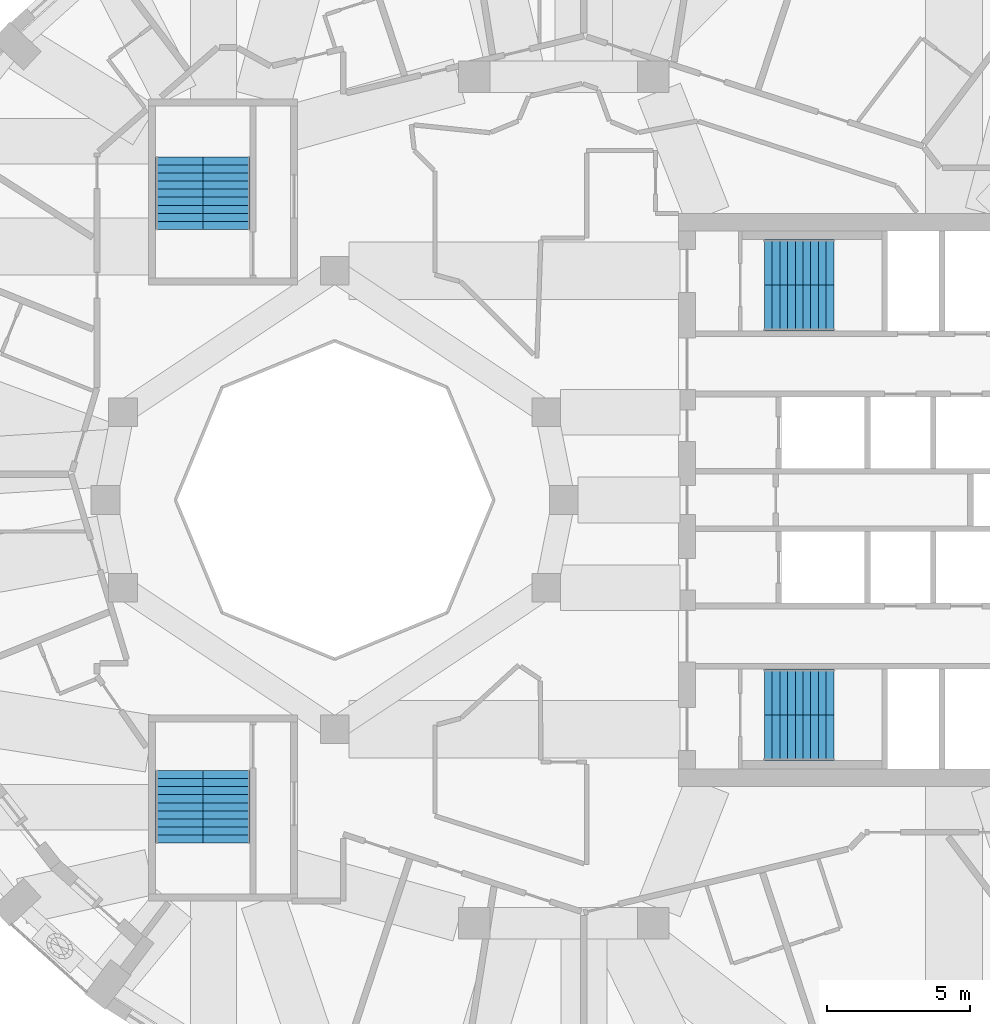
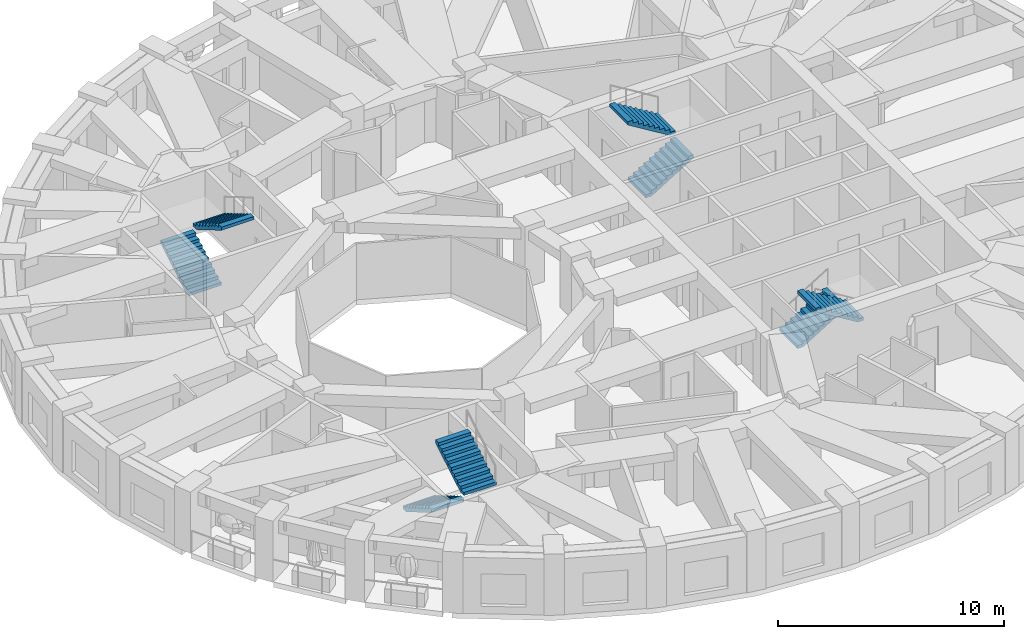
# One storey, part 9 of 12: 8 stair flights, 4 elements without a shape of their own.
"""IFC4 building model written with IfcOpenShell, lengths in metres."""

from ifc_helpers import new_model, si_unit, direction, frame, origin, place, context, subcontext, project, spatial, polyline, outline, extrude, material, type_object, element, aggregate, save


model = new_model("IFC4")

# Units and contexts
model_context = context("Model", 3, precision=1e-05, world=origin(), true_north=direction((0.0, 1.0)))
body_context = subcontext(model_context, "Body", "Model", "MODEL_VIEW")
ifc_project = project(units=[si_unit("LENGTHUNIT", "METRE"), si_unit("AREAUNIT", "SQUARE_METRE"), si_unit("VOLUMEUNIT", "CUBIC_METRE"), si_unit("PLANEANGLEUNIT", "RADIAN"), si_unit("MASSUNIT", "GRAM", prefix="KILO")], contexts=[model_context])

# Site, building, storey
site_placement = place(None, origin())
site = spatial("IfcSite", under=ifc_project, at=site_placement, CompositionType="ELEMENT")
building_placement = place(site_placement, origin())
building = spatial("IfcBuilding", under=site, at=building_placement, Name="Taillehof Tower", CompositionType="ELEMENT")
storey_placement = place(building_placement, frame((0.0, 0.0, 222.199951171875)))
storey = spatial("IfcBuildingStorey", under=building, at=storey_placement, Name="L63", CompositionType="ELEMENT", Elevation=222.199951171875)

# Stair, stair flights
ifc_material_1 = material(Name="Concrete C40/50", Category="concrete")
stair_type = type_object("IfcStairType", Name="Exit stair half-turn", PredefinedType="HALF_TURN_STAIR", material=ifc_material_1)
stair_1_placement = place(storey_placement, origin())
stair_1 = element("IfcStair", 1, at=stair_1_placement, inside=storey, type_object=stair_type, Name="Exit stair S1", PredefinedType="HALF_TURN_STAIR")
ifc_material_2 = material(Name="Concrete C40/50", Category="concrete")
stair_flight_type_1 = type_object("IfcStairFlightType", Name="Stair flight 1600 riser 165.0 going 270", PredefinedType="STRAIGHT", material=ifc_material_2)
stair_flight_1_placement = place(storey_placement, frame((7.0, 6.699951171875, 0.0), z_axis=(0.0, 0.0, 1.0), x_axis=(1.0, 0.0, 0.0)))
stair_flight_1 = element("IfcStairFlight", 2, at=stair_flight_1_placement, type_object=stair_flight_type_1, Name="S1 flight 1", NumberOfRisers=10, NumberOfTreads=9, PredefinedType="STRAIGHT", RiserHeight=0.165, TreadLength=0.27, context=body_context, shape_type="SweptSolid", body=[
    extrude(outline(polyline([(0.0, 0.0), (0.0, 0.00537109375), (0.0, 0.0107421875), (0.0, 0.015869140625), (0.0, 0.021240234375), (0.0, 0.026611328125), (0.0, 0.031982421875), (0.0, 0.037353515625), (0.0, 0.04248046875), (0.0, 0.0478515625), (0.0, 0.05322265625), (0.0, 0.05859375), (0.0, 0.06396484375), (0.0, 0.069091796875), (0.0, 0.074462890625), (0.0, 0.079833984375), (0.0, 0.085205078125), (0.0, 0.090576171875), (0.0, 0.095703125), (0.0, 0.10107421875), (0.0, 0.1064453125), (0.0, 0.11181640625), (0.0, 0.1171875), (0.0, 0.122314453125), (0.0, 0.127685546875), (0.0, 0.133056640625), (0.0, 0.138427734375), (0.0, 0.143798828125), (0.0, 0.14892578125), (0.0, 0.154296875), (0.0, 0.15966796875), (0.0, 0.1650390625), (0.27001953125, 0.1650390625), (0.27001953125, 0.330078125), (0.5400390625, 0.330078125), (0.5400390625, 0.4951171875), (0.81005859375, 0.4951171875), (0.81005859375, 0.659912109375), (1.080078125, 0.659912109375), (1.080078125, 0.824951171875), (1.35009765625, 0.824951171875), (1.35009765625, 0.989990234375), (1.6201171875, 0.989990234375), (1.6201171875, 1.155029296875), (1.889892578125, 1.155029296875), (1.889892578125, 1.320068359375), (2.159912109375, 1.320068359375), (2.159912109375, 1.485107421875), (2.429931640625, 1.485107421875), (2.429931640625, 1.479248046875), (2.429931640625, 1.4736328125), (2.429931640625, 1.468017578125), (2.429931640625, 1.46240234375), (2.429931640625, 1.45654296875), (2.429931640625, 1.450927734375), (2.429931640625, 1.4453125), (2.429931640625, 1.439697265625), (2.429931640625, 1.43408203125), (2.429931640625, 1.42822265625), (2.429931640625, 1.422607421875), (2.429931640625, 1.4169921875), (2.429931640625, 1.411376953125), (2.429931640625, 1.40576171875), (2.429931640625, 1.39990234375), (2.429931640625, 1.394287109375), (2.429931640625, 1.388671875), (2.429931640625, 1.383056640625), (2.429931640625, 1.37744140625), (2.429931640625, 1.37158203125), (2.429931640625, 1.365966796875), (2.429931640625, 1.3603515625), (2.429931640625, 1.354736328125), (2.429931640625, 1.348876953125), (2.429931640625, 1.34326171875), (2.429931640625, 1.337646484375), (2.429931640625, 1.33203125), (2.429931640625, 1.326416015625), (2.429931640625, 1.320556640625), (2.429931640625, 1.31494140625), (2.429931640625, 1.309326171875), (0.287353515625, 0.0), (0.0, 0.0)])), frame((0.0, 0.800048828125, 0.0), z_axis=(0.0, -1.0, 0.0), x_axis=(1.0, 0.0, 0.0)), (0.0, 0.0, 1.0), 1.6),
])
stair_flight_2_placement = place(storey_placement, frame((9.429931640625, 8.300048828125, 1.650146484375), z_axis=(0.0, 0.0, 1.0), x_axis=(-1.0, 0.0, 0.0)))
stair_flight_2 = element("IfcStairFlight", 3, at=stair_flight_2_placement, type_object=stair_flight_type_1, Name="S1 flight 2", NumberOfRisers=10, NumberOfTreads=9, PredefinedType="STRAIGHT", RiserHeight=0.165, TreadLength=0.27, context=body_context, shape_type="SweptSolid", body=[
    extrude(outline(polyline([(0.0, 0.0), (0.0, 0.00537109375), (0.0, 0.0107421875), (0.0, 0.015869140625), (0.0, 0.021240234375), (0.0, 0.026611328125), (0.0, 0.031982421875), (0.0, 0.037353515625), (0.0, 0.04248046875), (0.0, 0.0478515625), (0.0, 0.05322265625), (0.0, 0.05859375), (0.0, 0.06396484375), (0.0, 0.069091796875), (0.0, 0.074462890625), (0.0, 0.079833984375), (0.0, 0.085205078125), (0.0, 0.090576171875), (0.0, 0.095703125), (0.0, 0.10107421875), (0.0, 0.1064453125), (0.0, 0.11181640625), (0.0, 0.1171875), (0.0, 0.122314453125), (0.0, 0.127685546875), (0.0, 0.133056640625), (0.0, 0.138427734375), (0.0, 0.143798828125), (0.0, 0.14892578125), (0.0, 0.154296875), (0.0, 0.15966796875), (0.0, 0.1650390625), (0.27001953125, 0.1650390625), (0.27001953125, 0.330078125), (0.5400390625, 0.330078125), (0.5400390625, 0.4951171875), (0.81005859375, 0.4951171875), (0.81005859375, 0.659912109375), (1.080078125, 0.659912109375), (1.080078125, 0.824951171875), (1.35009765625, 0.824951171875), (1.35009765625, 0.989990234375), (1.6201171875, 0.989990234375), (1.6201171875, 1.155029296875), (1.889892578125, 1.155029296875), (1.889892578125, 1.320068359375), (2.159912109375, 1.320068359375), (2.159912109375, 1.485107421875), (2.429931640625, 1.485107421875), (2.429931640625, 1.479248046875), (2.429931640625, 1.4736328125), (2.429931640625, 1.468017578125), (2.429931640625, 1.46240234375), (2.429931640625, 1.45654296875), (2.429931640625, 1.450927734375), (2.429931640625, 1.4453125), (2.429931640625, 1.439697265625), (2.429931640625, 1.43408203125), (2.429931640625, 1.42822265625), (2.429931640625, 1.422607421875), (2.429931640625, 1.4169921875), (2.429931640625, 1.411376953125), (2.429931640625, 1.40576171875), (2.429931640625, 1.39990234375), (2.429931640625, 1.394287109375), (2.429931640625, 1.388671875), (2.429931640625, 1.383056640625), (2.429931640625, 1.37744140625), (2.429931640625, 1.37158203125), (2.429931640625, 1.365966796875), (2.429931640625, 1.3603515625), (2.429931640625, 1.354736328125), (2.429931640625, 1.348876953125), (2.429931640625, 1.34326171875), (2.429931640625, 1.337646484375), (2.429931640625, 1.33203125), (2.429931640625, 1.326416015625), (2.429931640625, 1.320556640625), (2.429931640625, 1.31494140625), (2.429931640625, 1.309326171875), (0.287353515625, 0.0), (0.0, 0.0)])), frame((0.0, 0.800048828125, 0.0), z_axis=(0.0, -1.0, 0.0), x_axis=(1.0, 0.0, 0.0)), (0.0, 0.0, 1.0), 1.6),
])
aggregate(stair_1, [stair_flight_1, stair_flight_2])

stair_2_placement = place(storey_placement, origin())
stair_2 = element("IfcStair", 4, at=stair_2_placement, inside=storey, type_object=stair_type, Name="Exit stair S2", PredefinedType="HALF_TURN_STAIR")
stair_flight_3_placement = place(storey_placement, frame((7.0, -6.699951171875, 0.0), z_axis=(0.0, 0.0, 1.0), x_axis=(1.0, 0.0, 0.0)))
stair_flight_3 = element("IfcStairFlight", 5, at=stair_flight_3_placement, type_object=stair_flight_type_1, Name="S2 flight 1", NumberOfRisers=10, NumberOfTreads=9, PredefinedType="STRAIGHT", RiserHeight=0.165, TreadLength=0.27, context=body_context, shape_type="SweptSolid", body=[
    extrude(outline(polyline([(0.0, 0.0), (0.0, 0.00537109375), (0.0, 0.0107421875), (0.0, 0.015869140625), (0.0, 0.021240234375), (0.0, 0.026611328125), (0.0, 0.031982421875), (0.0, 0.037353515625), (0.0, 0.04248046875), (0.0, 0.0478515625), (0.0, 0.05322265625), (0.0, 0.05859375), (0.0, 0.06396484375), (0.0, 0.069091796875), (0.0, 0.074462890625), (0.0, 0.079833984375), (0.0, 0.085205078125), (0.0, 0.090576171875), (0.0, 0.095703125), (0.0, 0.10107421875), (0.0, 0.1064453125), (0.0, 0.11181640625), (0.0, 0.1171875), (0.0, 0.122314453125), (0.0, 0.127685546875), (0.0, 0.133056640625), (0.0, 0.138427734375), (0.0, 0.143798828125), (0.0, 0.14892578125), (0.0, 0.154296875), (0.0, 0.15966796875), (0.0, 0.1650390625), (0.27001953125, 0.1650390625), (0.27001953125, 0.330078125), (0.5400390625, 0.330078125), (0.5400390625, 0.4951171875), (0.81005859375, 0.4951171875), (0.81005859375, 0.659912109375), (1.080078125, 0.659912109375), (1.080078125, 0.824951171875), (1.35009765625, 0.824951171875), (1.35009765625, 0.989990234375), (1.6201171875, 0.989990234375), (1.6201171875, 1.155029296875), (1.889892578125, 1.155029296875), (1.889892578125, 1.320068359375), (2.159912109375, 1.320068359375), (2.159912109375, 1.485107421875), (2.429931640625, 1.485107421875), (2.429931640625, 1.479248046875), (2.429931640625, 1.4736328125), (2.429931640625, 1.468017578125), (2.429931640625, 1.46240234375), (2.429931640625, 1.45654296875), (2.429931640625, 1.450927734375), (2.429931640625, 1.4453125), (2.429931640625, 1.439697265625), (2.429931640625, 1.43408203125), (2.429931640625, 1.42822265625), (2.429931640625, 1.422607421875), (2.429931640625, 1.4169921875), (2.429931640625, 1.411376953125), (2.429931640625, 1.40576171875), (2.429931640625, 1.39990234375), (2.429931640625, 1.394287109375), (2.429931640625, 1.388671875), (2.429931640625, 1.383056640625), (2.429931640625, 1.37744140625), (2.429931640625, 1.37158203125), (2.429931640625, 1.365966796875), (2.429931640625, 1.3603515625), (2.429931640625, 1.354736328125), (2.429931640625, 1.348876953125), (2.429931640625, 1.34326171875), (2.429931640625, 1.337646484375), (2.429931640625, 1.33203125), (2.429931640625, 1.326416015625), (2.429931640625, 1.320556640625), (2.429931640625, 1.31494140625), (2.429931640625, 1.309326171875), (0.287353515625, 0.0), (0.0, 0.0)])), frame((0.0, 0.800048828125, 0.0), z_axis=(0.0, -1.0, 0.0), x_axis=(1.0, 0.0, 0.0)), (0.0, 0.0, 1.0), 1.6),
])
stair_flight_4_placement = place(storey_placement, frame((9.429931640625, -8.300048828125, 1.650146484375), z_axis=(0.0, 0.0, 1.0), x_axis=(-1.0, 0.0, 0.0)))
stair_flight_4 = element("IfcStairFlight", 6, at=stair_flight_4_placement, type_object=stair_flight_type_1, Name="S2 flight 2", NumberOfRisers=10, NumberOfTreads=9, PredefinedType="STRAIGHT", RiserHeight=0.165, TreadLength=0.27, context=body_context, shape_type="SweptSolid", body=[
    extrude(outline(polyline([(0.0, 0.0), (0.0, 0.00537109375), (0.0, 0.0107421875), (0.0, 0.015869140625), (0.0, 0.021240234375), (0.0, 0.026611328125), (0.0, 0.031982421875), (0.0, 0.037353515625), (0.0, 0.04248046875), (0.0, 0.0478515625), (0.0, 0.05322265625), (0.0, 0.05859375), (0.0, 0.06396484375), (0.0, 0.069091796875), (0.0, 0.074462890625), (0.0, 0.079833984375), (0.0, 0.085205078125), (0.0, 0.090576171875), (0.0, 0.095703125), (0.0, 0.10107421875), (0.0, 0.1064453125), (0.0, 0.11181640625), (0.0, 0.1171875), (0.0, 0.122314453125), (0.0, 0.127685546875), (0.0, 0.133056640625), (0.0, 0.138427734375), (0.0, 0.143798828125), (0.0, 0.14892578125), (0.0, 0.154296875), (0.0, 0.15966796875), (0.0, 0.1650390625), (0.27001953125, 0.1650390625), (0.27001953125, 0.330078125), (0.5400390625, 0.330078125), (0.5400390625, 0.4951171875), (0.81005859375, 0.4951171875), (0.81005859375, 0.659912109375), (1.080078125, 0.659912109375), (1.080078125, 0.824951171875), (1.35009765625, 0.824951171875), (1.35009765625, 0.989990234375), (1.6201171875, 0.989990234375), (1.6201171875, 1.155029296875), (1.889892578125, 1.155029296875), (1.889892578125, 1.320068359375), (2.159912109375, 1.320068359375), (2.159912109375, 1.485107421875), (2.429931640625, 1.485107421875), (2.429931640625, 1.479248046875), (2.429931640625, 1.4736328125), (2.429931640625, 1.468017578125), (2.429931640625, 1.46240234375), (2.429931640625, 1.45654296875), (2.429931640625, 1.450927734375), (2.429931640625, 1.4453125), (2.429931640625, 1.439697265625), (2.429931640625, 1.43408203125), (2.429931640625, 1.42822265625), (2.429931640625, 1.422607421875), (2.429931640625, 1.4169921875), (2.429931640625, 1.411376953125), (2.429931640625, 1.40576171875), (2.429931640625, 1.39990234375), (2.429931640625, 1.394287109375), (2.429931640625, 1.388671875), (2.429931640625, 1.383056640625), (2.429931640625, 1.37744140625), (2.429931640625, 1.37158203125), (2.429931640625, 1.365966796875), (2.429931640625, 1.3603515625), (2.429931640625, 1.354736328125), (2.429931640625, 1.348876953125), (2.429931640625, 1.34326171875), (2.429931640625, 1.337646484375), (2.429931640625, 1.33203125), (2.429931640625, 1.326416015625), (2.429931640625, 1.320556640625), (2.429931640625, 1.31494140625), (2.429931640625, 1.309326171875), (0.287353515625, 0.0), (0.0, 0.0)])), frame((0.0, 0.800048828125, 0.0), z_axis=(0.0, -1.0, 0.0), x_axis=(1.0, 0.0, 0.0)), (0.0, 0.0, 1.0), 1.6),
])
aggregate(stair_2, [stair_flight_3, stair_flight_4])

stair_3_placement = place(storey_placement, origin())
stair_3 = element("IfcStair", 7, at=stair_3_placement, inside=storey, type_object=stair_type, Name="Exit stair S3", PredefinedType="HALF_TURN_STAIR")
ifc_material_3 = material(Name="Concrete C40/50", Category="concrete")
stair_flight_type_2 = type_object("IfcStairFlightType", Name="Stair flight 1650 riser 165.0 going 280", PredefinedType="STRAIGHT", material=ifc_material_3)
stair_flight_5_placement = place(storey_placement, frame((-13.425048828125, 9.449951171875, 0.0), z_axis=(0.0, 0.0, 1.0), x_axis=(0.0, 1.0, 0.0)))
stair_flight_5 = element("IfcStairFlight", 8, at=stair_flight_5_placement, type_object=stair_flight_type_2, Name="S3 flight 1", NumberOfRisers=10, NumberOfTreads=9, PredefinedType="STRAIGHT", RiserHeight=0.165, TreadLength=0.28, context=body_context, shape_type="SweptSolid", body=[
    extrude(outline(polyline([(0.0, 0.0), (0.0, 0.00537109375), (0.0, 0.0107421875), (0.0, 0.015869140625), (0.0, 0.021240234375), (0.0, 0.026611328125), (0.0, 0.031982421875), (0.0, 0.037353515625), (0.0, 0.04248046875), (0.0, 0.0478515625), (0.0, 0.05322265625), (0.0, 0.05859375), (0.0, 0.06396484375), (0.0, 0.069091796875), (0.0, 0.074462890625), (0.0, 0.079833984375), (0.0, 0.085205078125), (0.0, 0.090576171875), (0.0, 0.095703125), (0.0, 0.10107421875), (0.0, 0.1064453125), (0.0, 0.11181640625), (0.0, 0.1171875), (0.0, 0.122314453125), (0.0, 0.127685546875), (0.0, 0.133056640625), (0.0, 0.138427734375), (0.0, 0.143798828125), (0.0, 0.14892578125), (0.0, 0.154296875), (0.0, 0.15966796875), (0.0, 0.1650390625), (0.280029296875, 0.1650390625), (0.280029296875, 0.330078125), (0.56005859375, 0.330078125), (0.56005859375, 0.4951171875), (0.840087890625, 0.4951171875), (0.840087890625, 0.659912109375), (1.1201171875, 0.659912109375), (1.1201171875, 0.824951171875), (1.39990234375, 0.824951171875), (1.39990234375, 0.989990234375), (1.679931640625, 0.989990234375), (1.679931640625, 1.155029296875), (1.9599609375, 1.155029296875), (1.9599609375, 1.320068359375), (2.239990234375, 1.320068359375), (2.239990234375, 1.485107421875), (2.52001953125, 1.485107421875), (2.52001953125, 1.4794921875), (2.52001953125, 1.473876953125), (2.52001953125, 1.46826171875), (2.52001953125, 1.462646484375), (2.52001953125, 1.45703125), (2.52001953125, 1.451416015625), (2.52001953125, 1.44580078125), (2.52001953125, 1.440185546875), (2.52001953125, 1.4345703125), (2.52001953125, 1.428955078125), (2.52001953125, 1.42333984375), (2.52001953125, 1.417724609375), (2.52001953125, 1.412109375), (2.52001953125, 1.406494140625), (2.52001953125, 1.40087890625), (2.52001953125, 1.395263671875), (2.52001953125, 1.3896484375), (2.52001953125, 1.384033203125), (2.52001953125, 1.37841796875), (2.52001953125, 1.372802734375), (2.52001953125, 1.3671875), (2.52001953125, 1.361572265625), (2.52001953125, 1.35595703125), (2.52001953125, 1.350341796875), (2.52001953125, 1.3447265625), (2.52001953125, 1.339111328125), (2.52001953125, 1.33349609375), (2.52001953125, 1.327880859375), (2.52001953125, 1.322265625), (2.52001953125, 1.316650390625), (2.52001953125, 1.31103515625), (0.295166015625, 0.0), (0.0, 0.0)])), frame((0.0, 0.824951171875, 0.0), z_axis=(0.0, -1.0, 0.0), x_axis=(1.0, 0.0, 0.0)), (0.0, 0.0, 1.0), 1.65),
])
stair_flight_6_placement = place(storey_placement, frame((-11.77490234375, 11.969970703125, 1.650146484375), z_axis=(0.0, 0.0, 1.0), x_axis=(0.0, -1.0, 0.0)))
stair_flight_6 = element("IfcStairFlight", 9, at=stair_flight_6_placement, type_object=stair_flight_type_2, Name="S3 flight 2", NumberOfRisers=10, NumberOfTreads=9, PredefinedType="STRAIGHT", RiserHeight=0.165, TreadLength=0.28, context=body_context, shape_type="SweptSolid", body=[
    extrude(outline(polyline([(0.0, 0.0), (0.0, 0.00537109375), (0.0, 0.0107421875), (0.0, 0.015869140625), (0.0, 0.021240234375), (0.0, 0.026611328125), (0.0, 0.031982421875), (0.0, 0.037353515625), (0.0, 0.04248046875), (0.0, 0.0478515625), (0.0, 0.05322265625), (0.0, 0.05859375), (0.0, 0.06396484375), (0.0, 0.069091796875), (0.0, 0.074462890625), (0.0, 0.079833984375), (0.0, 0.085205078125), (0.0, 0.090576171875), (0.0, 0.095703125), (0.0, 0.10107421875), (0.0, 0.1064453125), (0.0, 0.11181640625), (0.0, 0.1171875), (0.0, 0.122314453125), (0.0, 0.127685546875), (0.0, 0.133056640625), (0.0, 0.138427734375), (0.0, 0.143798828125), (0.0, 0.14892578125), (0.0, 0.154296875), (0.0, 0.15966796875), (0.0, 0.1650390625), (0.280029296875, 0.1650390625), (0.280029296875, 0.330078125), (0.56005859375, 0.330078125), (0.56005859375, 0.4951171875), (0.840087890625, 0.4951171875), (0.840087890625, 0.659912109375), (1.1201171875, 0.659912109375), (1.1201171875, 0.824951171875), (1.39990234375, 0.824951171875), (1.39990234375, 0.989990234375), (1.679931640625, 0.989990234375), (1.679931640625, 1.155029296875), (1.9599609375, 1.155029296875), (1.9599609375, 1.320068359375), (2.239990234375, 1.320068359375), (2.239990234375, 1.485107421875), (2.52001953125, 1.485107421875), (2.52001953125, 1.4794921875), (2.52001953125, 1.473876953125), (2.52001953125, 1.46826171875), (2.52001953125, 1.462646484375), (2.52001953125, 1.45703125), (2.52001953125, 1.451416015625), (2.52001953125, 1.44580078125), (2.52001953125, 1.440185546875), (2.52001953125, 1.4345703125), (2.52001953125, 1.428955078125), (2.52001953125, 1.42333984375), (2.52001953125, 1.417724609375), (2.52001953125, 1.412109375), (2.52001953125, 1.406494140625), (2.52001953125, 1.40087890625), (2.52001953125, 1.395263671875), (2.52001953125, 1.3896484375), (2.52001953125, 1.384033203125), (2.52001953125, 1.37841796875), (2.52001953125, 1.372802734375), (2.52001953125, 1.3671875), (2.52001953125, 1.361572265625), (2.52001953125, 1.35595703125), (2.52001953125, 1.350341796875), (2.52001953125, 1.3447265625), (2.52001953125, 1.339111328125), (2.52001953125, 1.33349609375), (2.52001953125, 1.327880859375), (2.52001953125, 1.322265625), (2.52001953125, 1.316650390625), (2.52001953125, 1.31103515625), (0.295166015625, 0.0), (0.0, 0.0)])), frame((0.0, 0.824951171875, 0.0), z_axis=(0.0, -1.0, 0.0), x_axis=(1.0, 0.0, 0.0)), (0.0, 0.0, 1.0), 1.65),
])
aggregate(stair_3, [stair_flight_5, stair_flight_6])

stair_4_placement = place(storey_placement, origin())
stair_4 = element("IfcStair", 10, at=stair_4_placement, inside=storey, type_object=stair_type, Name="Exit stair S4", PredefinedType="HALF_TURN_STAIR")
stair_flight_7_placement = place(storey_placement, frame((-13.425048828125, -9.449951171875, 0.0), z_axis=(0.0, 0.0, 1.0), x_axis=(0.0, -1.0, 0.0)))
stair_flight_7 = element("IfcStairFlight", 11, at=stair_flight_7_placement, type_object=stair_flight_type_2, Name="S4 flight 1", NumberOfRisers=10, NumberOfTreads=9, PredefinedType="STRAIGHT", RiserHeight=0.165, TreadLength=0.28, context=body_context, shape_type="SweptSolid", body=[
    extrude(outline(polyline([(0.0, 0.0), (0.0, 0.00537109375), (0.0, 0.0107421875), (0.0, 0.015869140625), (0.0, 0.021240234375), (0.0, 0.026611328125), (0.0, 0.031982421875), (0.0, 0.037353515625), (0.0, 0.04248046875), (0.0, 0.0478515625), (0.0, 0.05322265625), (0.0, 0.05859375), (0.0, 0.06396484375), (0.0, 0.069091796875), (0.0, 0.074462890625), (0.0, 0.079833984375), (0.0, 0.085205078125), (0.0, 0.090576171875), (0.0, 0.095703125), (0.0, 0.10107421875), (0.0, 0.1064453125), (0.0, 0.11181640625), (0.0, 0.1171875), (0.0, 0.122314453125), (0.0, 0.127685546875), (0.0, 0.133056640625), (0.0, 0.138427734375), (0.0, 0.143798828125), (0.0, 0.14892578125), (0.0, 0.154296875), (0.0, 0.15966796875), (0.0, 0.1650390625), (0.280029296875, 0.1650390625), (0.280029296875, 0.330078125), (0.56005859375, 0.330078125), (0.56005859375, 0.4951171875), (0.840087890625, 0.4951171875), (0.840087890625, 0.659912109375), (1.1201171875, 0.659912109375), (1.1201171875, 0.824951171875), (1.39990234375, 0.824951171875), (1.39990234375, 0.989990234375), (1.679931640625, 0.989990234375), (1.679931640625, 1.155029296875), (1.9599609375, 1.155029296875), (1.9599609375, 1.320068359375), (2.239990234375, 1.320068359375), (2.239990234375, 1.485107421875), (2.52001953125, 1.485107421875), (2.52001953125, 1.4794921875), (2.52001953125, 1.473876953125), (2.52001953125, 1.46826171875), (2.52001953125, 1.462646484375), (2.52001953125, 1.45703125), (2.52001953125, 1.451416015625), (2.52001953125, 1.44580078125), (2.52001953125, 1.440185546875), (2.52001953125, 1.4345703125), (2.52001953125, 1.428955078125), (2.52001953125, 1.42333984375), (2.52001953125, 1.417724609375), (2.52001953125, 1.412109375), (2.52001953125, 1.406494140625), (2.52001953125, 1.40087890625), (2.52001953125, 1.395263671875), (2.52001953125, 1.3896484375), (2.52001953125, 1.384033203125), (2.52001953125, 1.37841796875), (2.52001953125, 1.372802734375), (2.52001953125, 1.3671875), (2.52001953125, 1.361572265625), (2.52001953125, 1.35595703125), (2.52001953125, 1.350341796875), (2.52001953125, 1.3447265625), (2.52001953125, 1.339111328125), (2.52001953125, 1.33349609375), (2.52001953125, 1.327880859375), (2.52001953125, 1.322265625), (2.52001953125, 1.316650390625), (2.52001953125, 1.31103515625), (0.295166015625, 0.0), (0.0, 0.0)])), frame((0.0, 0.824951171875, 0.0), z_axis=(0.0, -1.0, 0.0), x_axis=(1.0, 0.0, 0.0)), (0.0, 0.0, 1.0), 1.65),
])
stair_flight_8_placement = place(storey_placement, frame((-11.77490234375, -11.969970703125, 1.650146484375), z_axis=(0.0, 0.0, 1.0), x_axis=(0.0, 1.0, 0.0)))
stair_flight_8 = element("IfcStairFlight", 12, at=stair_flight_8_placement, type_object=stair_flight_type_2, Name="S4 flight 2", NumberOfRisers=10, NumberOfTreads=9, PredefinedType="STRAIGHT", RiserHeight=0.165, TreadLength=0.28, context=body_context, shape_type="SweptSolid", body=[
    extrude(outline(polyline([(0.0, 0.0), (0.0, 0.00537109375), (0.0, 0.0107421875), (0.0, 0.015869140625), (0.0, 0.021240234375), (0.0, 0.026611328125), (0.0, 0.031982421875), (0.0, 0.037353515625), (0.0, 0.04248046875), (0.0, 0.0478515625), (0.0, 0.05322265625), (0.0, 0.05859375), (0.0, 0.06396484375), (0.0, 0.069091796875), (0.0, 0.074462890625), (0.0, 0.079833984375), (0.0, 0.085205078125), (0.0, 0.090576171875), (0.0, 0.095703125), (0.0, 0.10107421875), (0.0, 0.1064453125), (0.0, 0.11181640625), (0.0, 0.1171875), (0.0, 0.122314453125), (0.0, 0.127685546875), (0.0, 0.133056640625), (0.0, 0.138427734375), (0.0, 0.143798828125), (0.0, 0.14892578125), (0.0, 0.154296875), (0.0, 0.15966796875), (0.0, 0.1650390625), (0.280029296875, 0.1650390625), (0.280029296875, 0.330078125), (0.56005859375, 0.330078125), (0.56005859375, 0.4951171875), (0.840087890625, 0.4951171875), (0.840087890625, 0.659912109375), (1.1201171875, 0.659912109375), (1.1201171875, 0.824951171875), (1.39990234375, 0.824951171875), (1.39990234375, 0.989990234375), (1.679931640625, 0.989990234375), (1.679931640625, 1.155029296875), (1.9599609375, 1.155029296875), (1.9599609375, 1.320068359375), (2.239990234375, 1.320068359375), (2.239990234375, 1.485107421875), (2.52001953125, 1.485107421875), (2.52001953125, 1.4794921875), (2.52001953125, 1.473876953125), (2.52001953125, 1.46826171875), (2.52001953125, 1.462646484375), (2.52001953125, 1.45703125), (2.52001953125, 1.451416015625), (2.52001953125, 1.44580078125), (2.52001953125, 1.440185546875), (2.52001953125, 1.4345703125), (2.52001953125, 1.428955078125), (2.52001953125, 1.42333984375), (2.52001953125, 1.417724609375), (2.52001953125, 1.412109375), (2.52001953125, 1.406494140625), (2.52001953125, 1.40087890625), (2.52001953125, 1.395263671875), (2.52001953125, 1.3896484375), (2.52001953125, 1.384033203125), (2.52001953125, 1.37841796875), (2.52001953125, 1.372802734375), (2.52001953125, 1.3671875), (2.52001953125, 1.361572265625), (2.52001953125, 1.35595703125), (2.52001953125, 1.350341796875), (2.52001953125, 1.3447265625), (2.52001953125, 1.339111328125), (2.52001953125, 1.33349609375), (2.52001953125, 1.327880859375), (2.52001953125, 1.322265625), (2.52001953125, 1.316650390625), (2.52001953125, 1.31103515625), (0.295166015625, 0.0), (0.0, 0.0)])), frame((0.0, 0.824951171875, 0.0), z_axis=(0.0, -1.0, 0.0), x_axis=(1.0, 0.0, 0.0)), (0.0, 0.0, 1.0), 1.65),
])
aggregate(stair_4, [stair_flight_7, stair_flight_8])

save(model, "model.ifc")
